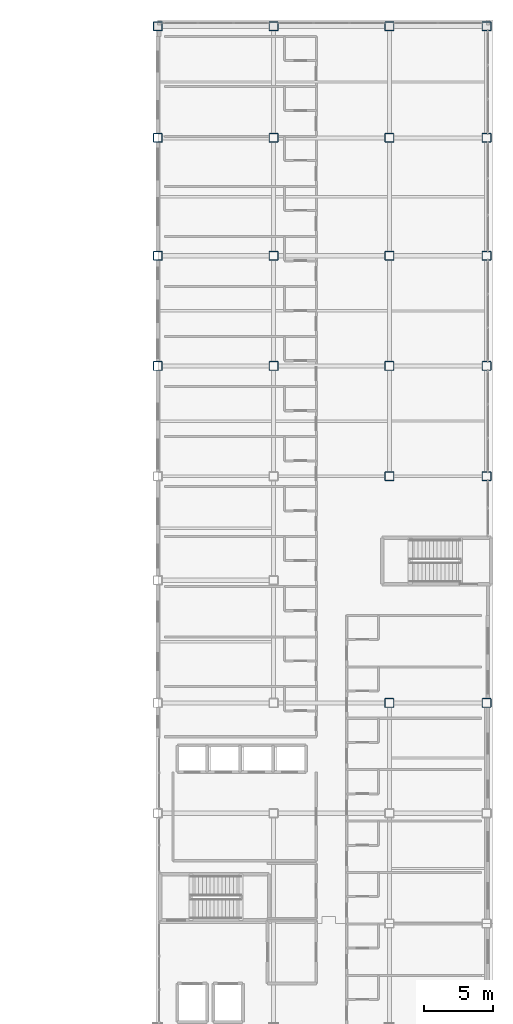
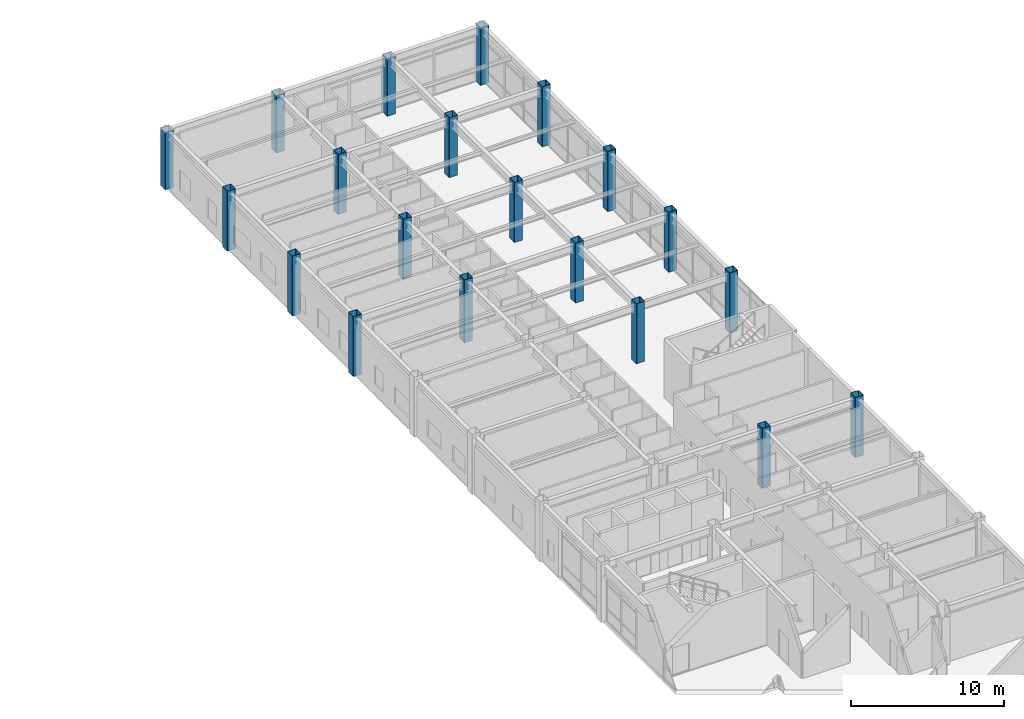
# One storey, part 3 of 61: 20 columns.
"""IFC4 building model written with IfcOpenShell, lengths in metres."""

from ifc_helpers import new_model, si_unit, direction, frame, origin, origin_2d, place, context, subcontext, project, spatial, hollow_rectangle, extrude, material, material_profile, profile_set, type_object, element, save


model = new_model("IFC4")

# Units and contexts
model_context = context("Model", 3, precision=1e-05, world=origin(), true_north=direction((0.0, 1.0)))
body_context = subcontext(model_context, "Body", "Model", "MODEL_VIEW")
ifc_project = project(units=[si_unit("LENGTHUNIT", "METRE"), si_unit("AREAUNIT", "SQUARE_METRE"), si_unit("VOLUMEUNIT", "CUBIC_METRE"), si_unit("PLANEANGLEUNIT", "RADIAN"), si_unit("MASSUNIT", "GRAM", prefix="KILO")], contexts=[model_context])

# Site, building, storey
site_placement = place(None, origin())
site = spatial("IfcSite", under=ifc_project, at=site_placement, CompositionType="ELEMENT")
building_placement = place(site_placement, origin())
building = spatial("IfcBuilding", under=site, at=building_placement, Name="Kazehara Bluff Congress Hotel", CompositionType="ELEMENT")
storey_placement = place(building_placement, frame((0.0, 0.0, 19.800048828125)))
storey = spatial("IfcBuildingStorey", under=building, at=storey_placement, Name="L04", CompositionType="ELEMENT", Elevation=19.800048828125)

# Columns
ifc_material = material(Name="Steel BCR295", Category="steel")
ifc_material_profile = material_profile(ifc_material, hollow_rectangle(XDim=0.64990234375, YDim=0.64990234375, WallThickness=0.02490234375, InnerFilletRadius=0.02490234375, OuterFilletRadius=0.050048828125, at=origin_2d()))
ifc_profile_set = profile_set([ifc_material_profile], Name="Steel BCR295")
column_type = type_object("IfcColumnType", Name="TP-C-04", PredefinedType="COLUMN", material=ifc_profile_set)
for number, where, z_axis, x_axis, name in (
    (1, (143.699951171875, 88.89990234375, 0.0), (0.0, 0.0, 1.0), (1.0, 0.0, 0.0), "L04 column C-04 (143.70,88.90)"),
    (2, (143.699951171875, 96.89990234375, 0.0), (0.0, 0.0, 1.0), (1.0, 0.0, 0.0), "L04 column C-04 (143.70,96.90)"),
    (3, (143.699951171875, 105.449951171875, 0.0), (0.0, 0.0, 1.0), (1.0, 0.0, 0.0), "L04 column C-04 (143.70,105.45)"),
):
    element("IfcColumn", number, at=place(storey_placement, frame(where, z_axis=z_axis, x_axis=x_axis)), inside=storey, type_object=column_type, Name=name, PredefinedType="COLUMN", context=body_context, shape_type="SweptSolid", body=[
        extrude(hollow_rectangle(XDim=0.64990234375, YDim=0.64990234375, WallThickness=0.02490234375, InnerFilletRadius=0.02490234375, OuterFilletRadius=0.050048828125, at=origin_2d()), origin(), (0.0, 0.0, 1.0), 4.800048828125),
    ])
column_1_placement = place(storey_placement, frame((143.699951171875, 113.550048828125, 0.0), z_axis=(0.0, 0.0, 1.0), x_axis=(1.0, 0.0, 0.0)))
element("IfcColumn", 4, at=column_1_placement, inside=storey, type_object=column_type, Name="L04 column C-04 (143.70,113.55)", PredefinedType="COLUMN", context=body_context, shape_type="SweptSolid", body=[
    extrude(hollow_rectangle(XDim=0.64990234375, YDim=0.64990234375, WallThickness=0.02490234375, InnerFilletRadius=0.02490234375, OuterFilletRadius=0.050048828125, at=origin_2d()), origin(), (0.0, 0.0, 1.0), 4.579833984375),
])
column_2_placement = place(storey_placement, frame((152.10009765625, 88.89990234375, -0.239990234375), z_axis=(0.0, 0.0, 1.0), x_axis=(1.0, 0.0, 0.0)))
element("IfcColumn", 5, at=column_2_placement, inside=storey, type_object=column_type, Name="L04 column C-04 (152.10,88.90)", PredefinedType="COLUMN", context=body_context, shape_type="SweptSolid", body=[
    extrude(hollow_rectangle(XDim=0.64990234375, YDim=0.64990234375, WallThickness=0.02490234375, InnerFilletRadius=0.02490234375, OuterFilletRadius=0.050048828125, at=origin_2d()), origin(), (0.0, 0.0, 1.0), 5.0400390625),
])
for number, where, z_axis, x_axis, name in (
    (6, (152.10009765625, 96.89990234375, 0.0), (0.0, 0.0, 1.0), (1.0, 0.0, 0.0), "L04 column C-04 (152.10,96.90)"),
    (7, (152.10009765625, 105.449951171875, 0.0), (0.0, 0.0, 1.0), (1.0, 0.0, 0.0), "L04 column C-04 (152.10,105.45)"),
):
    element("IfcColumn", number, at=place(storey_placement, frame(where, z_axis=z_axis, x_axis=x_axis)), inside=storey, type_object=column_type, Name=name, PredefinedType="COLUMN", context=body_context, shape_type="SweptSolid", body=[
        extrude(hollow_rectangle(XDim=0.64990234375, YDim=0.64990234375, WallThickness=0.02490234375, InnerFilletRadius=0.02490234375, OuterFilletRadius=0.050048828125, at=origin_2d()), origin(), (0.0, 0.0, 1.0), 4.800048828125),
    ])
column_3_placement = place(storey_placement, frame((152.10009765625, 113.550048828125, 0.0), z_axis=(0.0, 0.0, 1.0), x_axis=(1.0, 0.0, 0.0)))
element("IfcColumn", 8, at=column_3_placement, inside=storey, type_object=column_type, Name="L04 column C-04 (152.10,113.55)", PredefinedType="COLUMN", context=body_context, shape_type="SweptSolid", body=[
    extrude(hollow_rectangle(XDim=0.64990234375, YDim=0.64990234375, WallThickness=0.02490234375, InnerFilletRadius=0.02490234375, OuterFilletRadius=0.050048828125, at=origin_2d()), origin(), (0.0, 0.0, 1.0), 4.579833984375),
])
for number, where, z_axis, x_axis, name in (
    (9, (160.5, 64.449951171875, 0.0), (0.0, 0.0, 1.0), (1.0, 0.0, 0.0), "L04 column C-04 (160.50,64.45)"),
    (10, (160.5, 80.89990234375, 0.0), (0.0, 0.0, 1.0), (1.0, 0.0, 0.0), "L04 column C-04 (160.50,80.90)"),
    (11, (160.5, 88.89990234375, 0.0), (0.0, 0.0, 1.0), (1.0, 0.0, 0.0), "L04 column C-04 (160.50,88.90)"),
    (12, (160.5, 96.89990234375, 0.0), (0.0, 0.0, 1.0), (1.0, 0.0, 0.0), "L04 column C-04 (160.50,96.90)"),
    (13, (160.5, 105.449951171875, 0.0), (0.0, 0.0, 1.0), (1.0, 0.0, 0.0), "L04 column C-04 (160.50,105.45)"),
):
    element("IfcColumn", number, at=place(storey_placement, frame(where, z_axis=z_axis, x_axis=x_axis)), inside=storey, type_object=column_type, Name=name, PredefinedType="COLUMN", context=body_context, shape_type="SweptSolid", body=[
        extrude(hollow_rectangle(XDim=0.64990234375, YDim=0.64990234375, WallThickness=0.02490234375, InnerFilletRadius=0.02490234375, OuterFilletRadius=0.050048828125, at=origin_2d()), origin(), (0.0, 0.0, 1.0), 4.800048828125),
    ])
column_4_placement = place(storey_placement, frame((160.5, 113.550048828125, 0.0), z_axis=(0.0, 0.0, 1.0), x_axis=(1.0, 0.0, 0.0)))
element("IfcColumn", 14, at=column_4_placement, inside=storey, type_object=column_type, Name="L04 column C-04 (160.50,113.55)", PredefinedType="COLUMN", context=body_context, shape_type="SweptSolid", body=[
    extrude(hollow_rectangle(XDim=0.64990234375, YDim=0.64990234375, WallThickness=0.02490234375, InnerFilletRadius=0.02490234375, OuterFilletRadius=0.050048828125, at=origin_2d()), origin(), (0.0, 0.0, 1.0), 4.579833984375),
])
for number, where, z_axis, x_axis, name in (
    (15, (167.550048828125, 64.449951171875, 0.0), (0.0, 0.0, 1.0), (1.0, 0.0, 0.0), "L04 column C-04 (167.55,64.45)"),
    (16, (167.550048828125, 80.89990234375, 0.0), (0.0, 0.0, 1.0), (1.0, 0.0, 0.0), "L04 column C-04 (167.55,80.90)"),
    (17, (167.550048828125, 88.89990234375, 0.0), (0.0, 0.0, 1.0), (1.0, 0.0, 0.0), "L04 column C-04 (167.55,88.90)"),
    (18, (167.550048828125, 96.89990234375, 0.0), (0.0, 0.0, 1.0), (1.0, 0.0, 0.0), "L04 column C-04 (167.55,96.90)"),
    (19, (167.550048828125, 105.449951171875, 0.0), (0.0, 0.0, 1.0), (1.0, 0.0, 0.0), "L04 column C-04 (167.55,105.45)"),
):
    element("IfcColumn", number, at=place(storey_placement, frame(where, z_axis=z_axis, x_axis=x_axis)), inside=storey, type_object=column_type, Name=name, PredefinedType="COLUMN", context=body_context, shape_type="SweptSolid", body=[
        extrude(hollow_rectangle(XDim=0.64990234375, YDim=0.64990234375, WallThickness=0.02490234375, InnerFilletRadius=0.02490234375, OuterFilletRadius=0.050048828125, at=origin_2d()), origin(), (0.0, 0.0, 1.0), 4.800048828125),
    ])
column_5_placement = place(storey_placement, frame((167.550048828125, 113.550048828125, 0.0), z_axis=(0.0, 0.0, 1.0), x_axis=(1.0, 0.0, 0.0)))
element("IfcColumn", 20, at=column_5_placement, inside=storey, type_object=column_type, Name="L04 column C-04 (167.55,113.55)", PredefinedType="COLUMN", context=body_context, shape_type="SweptSolid", body=[
    extrude(hollow_rectangle(XDim=0.64990234375, YDim=0.64990234375, WallThickness=0.02490234375, InnerFilletRadius=0.02490234375, OuterFilletRadius=0.050048828125, at=origin_2d()), origin(), (0.0, 0.0, 1.0), 4.579833984375),
])

save(model, "model.ifc")
